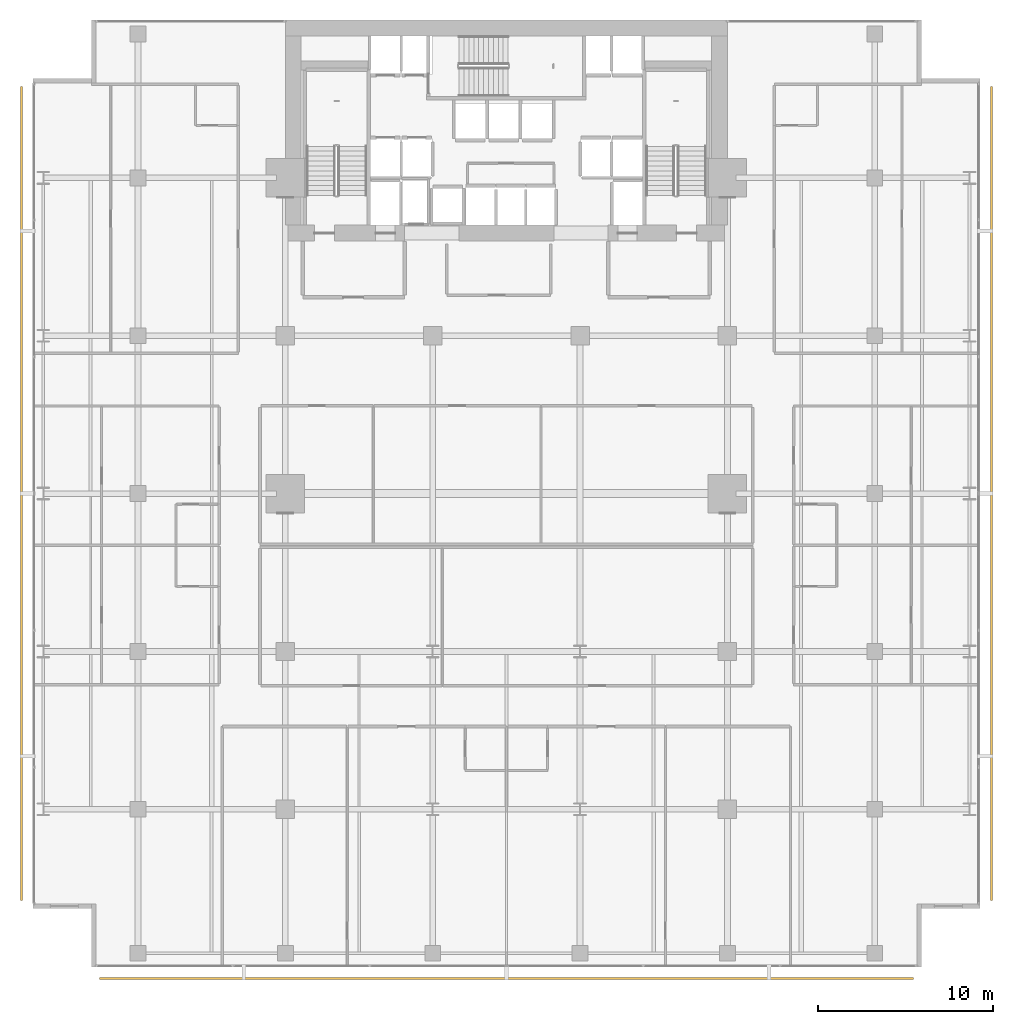
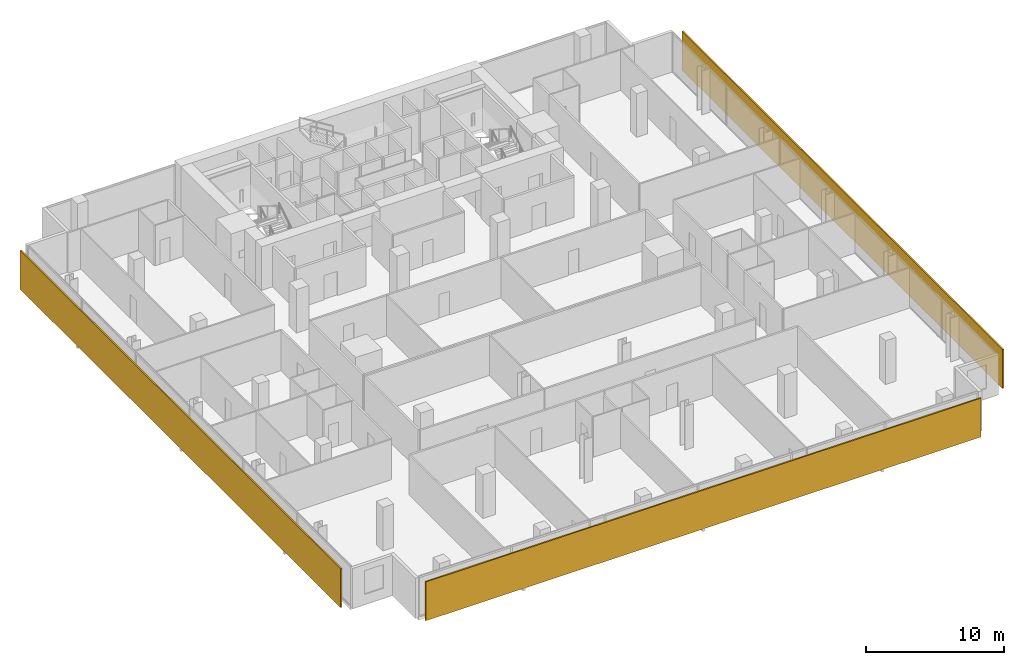
# One storey, part 38 of 39: 3 shading devices.
"""IFC4 building model written with IfcOpenShell, lengths in metres."""

from ifc_helpers import new_model, si_unit, direction, frame, origin, origin_2d, place, context, subcontext, project, spatial, rectangle, extrude, material, layer, layer_set, type_object, element, save


model = new_model("IFC4")

# Units and contexts
model_context = context("Model", 3, precision=1e-05, world=origin(), true_north=direction((0.0, 1.0)))
body_context = subcontext(model_context, "Body", "Model", "MODEL_VIEW")
ifc_project = project(units=[si_unit("LENGTHUNIT", "METRE"), si_unit("AREAUNIT", "SQUARE_METRE"), si_unit("VOLUMEUNIT", "CUBIC_METRE"), si_unit("PLANEANGLEUNIT", "RADIAN"), si_unit("MASSUNIT", "GRAM", prefix="KILO")], contexts=[model_context])

# Site, building, storey
site_placement = place(None, origin())
site = spatial("IfcSite", under=ifc_project, at=site_placement, CompositionType="ELEMENT")
building_placement = place(site_placement, origin())
building = spatial("IfcBuilding", under=site, at=building_placement, Name="Maruvema Waterfront Hotel and Observation Tower", CompositionType="ELEMENT")
storey_placement = place(building_placement, frame((0.0, 0.0, 111.64990234375)))
storey = spatial("IfcBuildingStorey", under=building, at=storey_placement, Name="L27", CompositionType="ELEMENT", Elevation=111.64990234375)

# Shading devices
ifc_material = material(Name="Honed travertine stone and anodised architectural bronze", Category="masonry")
ifc_layer = layer(ifc_material, 0.1201171875, Name="Ventilated Outer Skin Cobogo Stone-and-Bronze Screen 120 mm")
ifc_layer_set = layer_set([ifc_layer], Name="Honed travertine stone and anodised architectural bronze")
shading_device_type = type_object("IfcShadingDeviceType", Name="Ventilated Outer Skin Cobogo Stone-and-Bronze Screen 120 mm", PredefinedType="USERDEFINED", material=ifc_layer_set)
for number, where, z_axis, x_axis, name in (
    (1, (37.800048828125, -0.64990234375, 0.06005859375), (0.0, 0.0, 1.0), (1.0, 0.0, 0.0), "L27 Ventilated Double-Skin Outer Cobogo Screen OS-L27-S"),
    (2, (65.449951171875, 27.0, 0.06005859375), (0.0, 0.0, 1.0), (0.0, 1.0, 0.0), "L27 Ventilated Double-Skin Outer Cobogo Screen OS-L27-E"),
    (3, (10.14990234375, 27.0, 0.06005859375), (0.0, 0.0, 1.0), (0.0, -1.0, 0.0), "L27 Ventilated Double-Skin Outer Cobogo Screen OS-L27-W"),
):
    element("IfcShadingDevice", number, at=place(storey_placement, frame(where, z_axis=z_axis, x_axis=x_axis)), inside=storey, type_object=shading_device_type, Name=name, ObjectType="OUTER SKIN SCREEN", PredefinedType="USERDEFINED", context=body_context, shape_type="SweptSolid", body=[
        extrude(rectangle(XDim=46.39990234375, YDim=0.1201171875, at=origin_2d()), origin(), (0.0, 0.0, 1.0), 3.429931640625),
    ])

save(model, "model.ifc")
